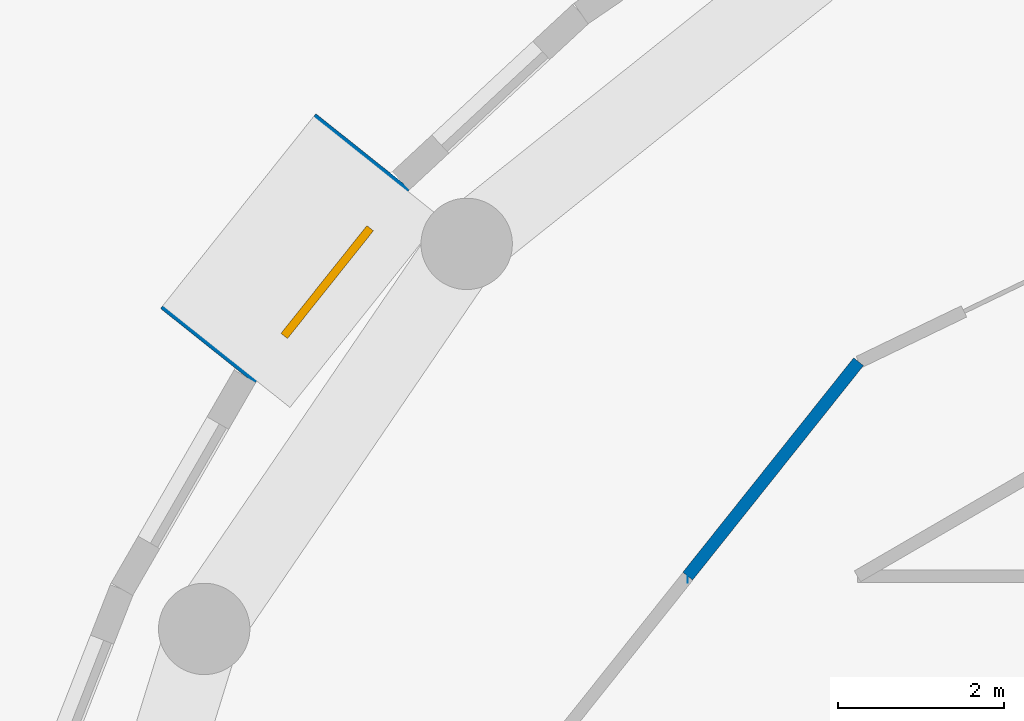
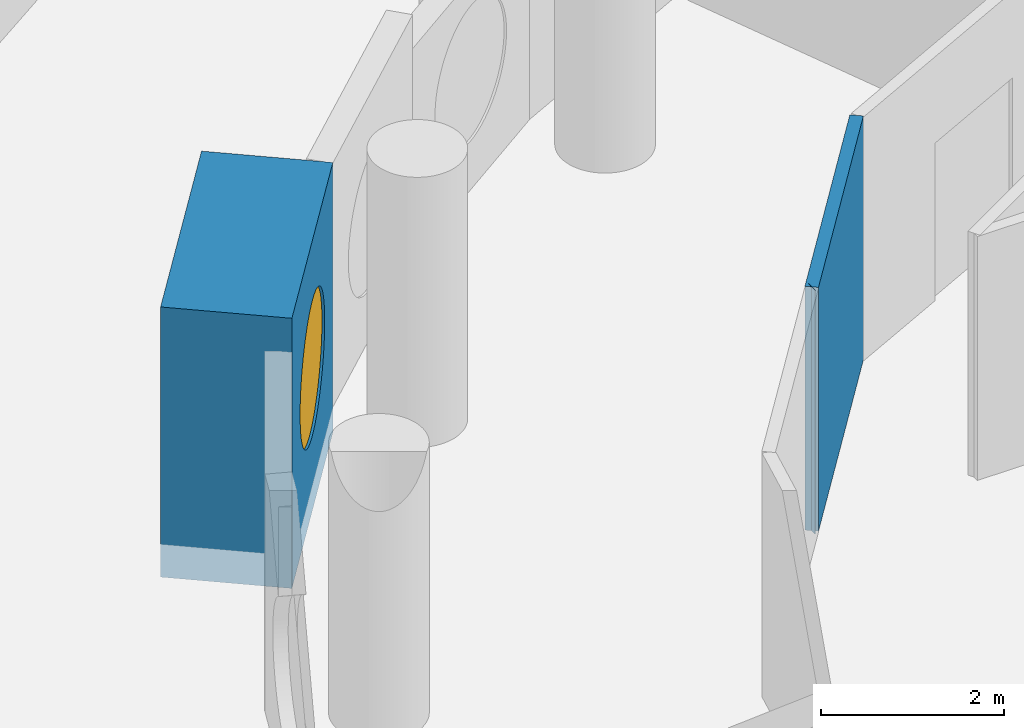
# One storey, part 8 of 13: 3 walls, 1 window, 1 opening.
"""IFC4 building model written with IfcOpenShell, lengths in metres."""

from ifc_helpers import new_model, si_unit, direction, frame, frame_2d, origin, origin_2d, place, context, subcontext, project, spatial, rectangle, circle, extrude, material, layer, layer_set, type_object, element, fill, save


model = new_model("IFC4")

# Units and contexts
model_context = context("Model", 3, precision=1e-05, world=origin(), true_north=direction((0.0, 1.0)))
body_context = subcontext(model_context, "Body", "Model", "MODEL_VIEW")
ifc_project = project(units=[si_unit("LENGTHUNIT", "METRE"), si_unit("AREAUNIT", "SQUARE_METRE"), si_unit("VOLUMEUNIT", "CUBIC_METRE"), si_unit("PLANEANGLEUNIT", "RADIAN"), si_unit("MASSUNIT", "GRAM", prefix="KILO")], contexts=[model_context])

# Site, building, storey
site_placement = place(None, origin())
site = spatial("IfcSite", under=ifc_project, at=site_placement, CompositionType="ELEMENT")
building_placement = place(site_placement, origin())
building = spatial("IfcBuilding", under=site, at=building_placement, Name="Tracery Tower", CompositionType="ELEMENT")
storey_placement = place(building_placement, frame((0.0, 0.0, 231.0)))
storey = spatial("IfcBuildingStorey", under=building, at=storey_placement, Name="L59", CompositionType="ELEMENT", Elevation=231.0)

# Wall, opening, window
ifc_material_1 = material(Name="Precast concrete C50/60", Category="concrete")
ifc_layer_1 = layer(ifc_material_1, 1.449951171875)
ifc_layer_set_1 = layer_set([ifc_layer_1], Name="Deep-set bay unit 3000 x 3600, slab edge 350")
wall_type_1 = type_object("IfcWallType", Name="Deep-set bay unit 3000 x 3600, slab edge 350", PredefinedType="ELEMENTEDWALL", material=ifc_layer_set_1)
wall_1_placement = place(storey_placement, frame((-15.046142578125, 13.91748046875, -0.35009765625), z_axis=(0.0, 0.0, 1.0), x_axis=(-0.623523286312, -0.781804778335, 0.0)))
wall_1 = element("IfcWall", 1, at=wall_1_placement, inside=storey, type_object=wall_type_1, Name="Deep-set bay unit 17 at L59", PredefinedType="ELEMENTEDWALL", context=body_context, shape_type="SweptSolid", body=[
    extrude(rectangle(XDim=3.0, YDim=1.449951171875, at=frame_2d((1.5, 0.0))), origin(), (0.0, 0.0, 1.0), 3.60009765625),
])
opening_placement = place(wall_1_placement, frame((1.5, 0.0, 1.89990234375)))
opening = element("IfcOpeningElement", 2, at=opening_placement, cuts=wall_1, Name="Opening WN1", PredefinedType="OPENING", context=body_context, shape_type="SweptSolid", body=[
    extrude(circle(Radius=0.9000244140625, at=origin_2d()), frame((0.0, 0.73486328125, 0.0), z_axis=(0.0, -1.0, 0.0), x_axis=(1.0, 0.0, 0.0)), (0.0, 0.0, 1.0), 1.469970703125),
])
ifc_material_2 = material(Name="Aluminium frame with tinted double glazing", Category="aluminium")
window_type = type_object("IfcWindowType", Name="Round window 1800", PartitioningType="SINGLE_PANEL", PredefinedType="WINDOW", material=ifc_material_2)
window_placement = place(opening_placement, origin())
window = element("IfcWindow", 3, at=window_placement, inside=storey, type_object=window_type, Name="Round window 17 at L59", OverallHeight=1.800048828125, OverallWidth=1.800048828125, PartitioningType="SINGLE_PANEL", PredefinedType="WINDOW", context=body_context, shape_type="SweptSolid", body=[
    extrude(circle(Radius=0.9000244140625, at=origin_2d()), frame((0.0, 0.69482421875, 0.0), z_axis=(0.0, -1.0, 0.0), x_axis=(1.0, 0.0, 0.0)), (0.0, 0.0, 1.0), 0.10009765625),
])
fill(opening, window)

# Walls
ifc_material_3 = material(Name="Plasterboard on steel studs", Category="steel")
ifc_layer_2 = layer(ifc_material_3, 0.14990234375)
ifc_layer_set_2 = layer_set([ifc_layer_2], Name="Partition 150 corridor wall")
wall_type_2 = type_object("IfcWallType", Name="Partition 150 corridor wall", PredefinedType="PARTITIONING", material=ifc_layer_set_2)
wall_2_placement = place(storey_placement, frame((-11.134033203125, 8.800048828125, 0.0), z_axis=(0.0, 0.0, 1.0), x_axis=(-1.0, 0.0, 0.0)))
element("IfcWall", 4, at=wall_2_placement, inside=storey, type_object=wall_type_2, Name="Corridor wall RC1-009", PredefinedType="PARTITIONING", context=body_context, shape_type="SweptSolid", body=[
    extrude(rectangle(XDim=0.0029296875, YDim=0.14990234375, at=frame_2d((0.00146484375, 0.0))), origin(), (0.0, 0.0, 1.0), 3.25),
])
wall_3_placement = place(storey_placement, frame((-11.135986328125, 8.802001953125, 0.0), z_axis=(0.0, 0.0, 1.0), x_axis=(0.623151397235, 0.782101231379, 0.0)))
element("IfcWall", 5, at=wall_3_placement, inside=storey, type_object=wall_type_2, Name="Corridor wall RC1-010", PredefinedType="PARTITIONING", context=body_context, shape_type="SweptSolid", body=[
    extrude(rectangle(XDim=3.30078125, YDim=0.14990234375, at=frame_2d((1.650390625, 0.0))), origin(), (0.0, 0.0, 1.0), 3.25),
])

save(model, "model.ifc")
